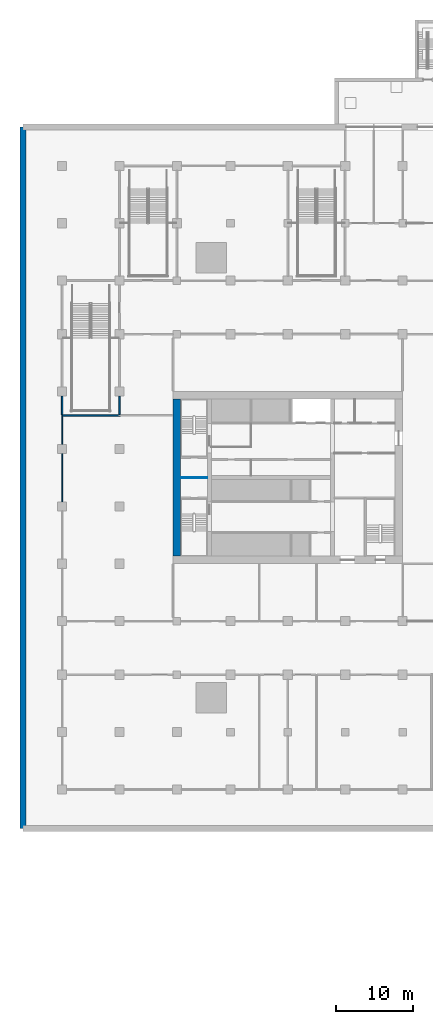
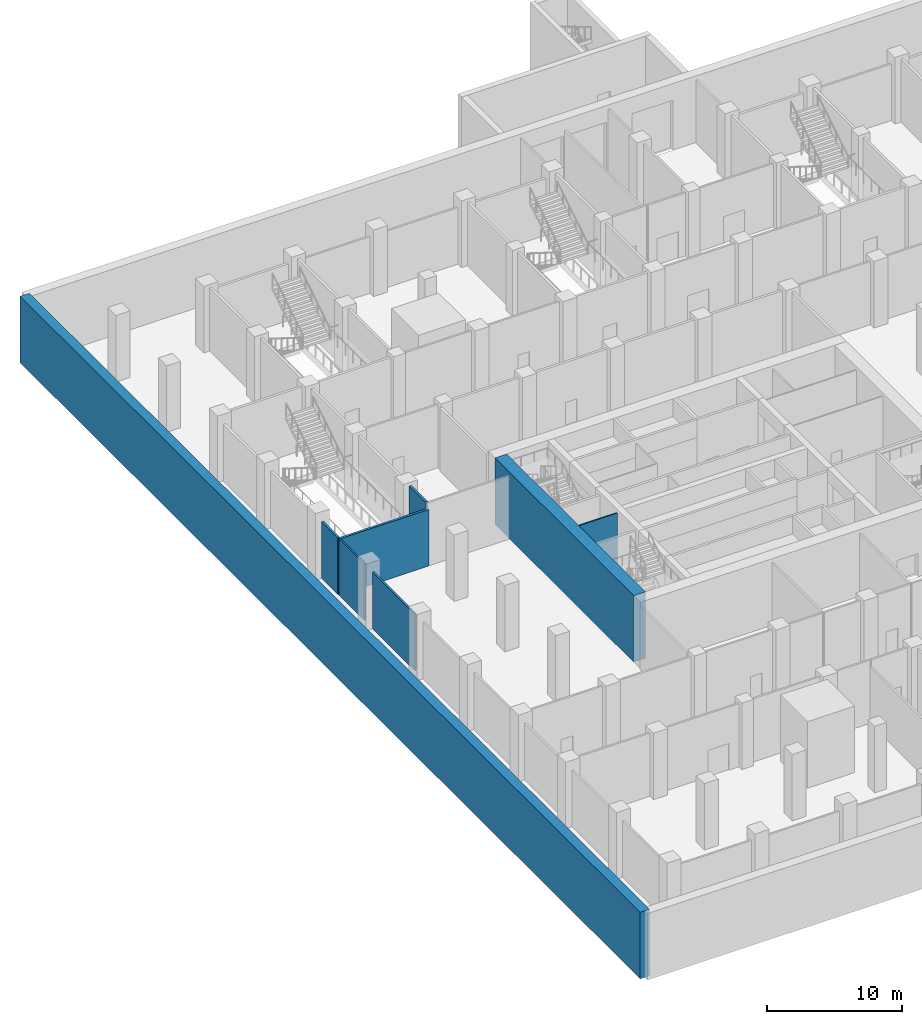
# One storey, part 8 of 45: 8 walls.
"""IFC4 building model written with IfcOpenShell, lengths in metres."""

from ifc_helpers import new_model, si_unit, direction, frame, frame_2d, origin, place, context, subcontext, project, spatial, rectangle, extrude, material, layer, layer_set, type_object, element, save


model = new_model("IFC4")

# Units and contexts
model_context = context("Model", 3, precision=1e-05, world=origin(), true_north=direction((0.0, 1.0)))
body_context = subcontext(model_context, "Body", "Model", "MODEL_VIEW")
ifc_project = project(units=[si_unit("LENGTHUNIT", "METRE"), si_unit("AREAUNIT", "SQUARE_METRE"), si_unit("VOLUMEUNIT", "CUBIC_METRE"), si_unit("PLANEANGLEUNIT", "RADIAN"), si_unit("MASSUNIT", "GRAM", prefix="KILO")], contexts=[model_context])

# Site, building, storey
site_placement = place(None, origin())
site = spatial("IfcSite", under=ifc_project, at=site_placement, CompositionType="ELEMENT")
building_placement = place(site_placement, origin())
building = spatial("IfcBuilding", under=site, at=building_placement, Name="Tamorin Gate", CompositionType="ELEMENT")
storey_placement = place(building_placement, frame((0.0, 0.0, -6.0)))
storey = spatial("IfcBuildingStorey", under=building, at=storey_placement, Name="B1", CompositionType="ELEMENT", Elevation=-6.0)

# Walls
ifc_material_1 = material(Name="Concrete masonry C20/25", Category="masonry")
ifc_layer_1 = layer(ifc_material_1, 0.14990234375)
ifc_layer_set_1 = layer_set([ifc_layer_1], Name="Partition 150")
wall_type_1 = type_object("IfcWallType", Name="Partition 150", PredefinedType="PARTITIONING", material=ifc_layer_set_1)
wall_1_placement = place(storey_placement, frame((15.5, 68.10009765625, 0.0), z_axis=(0.0, 0.0, 1.0), x_axis=(0.0, 1.0, 0.0)))
element("IfcWall", 1, at=wall_1_placement, inside=storey, type_object=wall_type_1, Name="Partition 150 B1", PredefinedType="PARTITIONING", context=body_context, shape_type="SweptSolid", body=[
    extrude(rectangle(XDim=6.2998046875, YDim=0.14990234375, at=frame_2d((3.14990234375, 0.0))), origin(), (0.0, 0.0, 1.0), 5.10009765625),
])
wall_2_placement = place(storey_placement, frame((15.5, 75.60009765625, 0.0), z_axis=(0.0, 0.0, 1.0), x_axis=(0.0, 1.0, 0.0)))
element("IfcWall", 2, at=wall_2_placement, inside=storey, type_object=wall_type_1, Name="Partition 150 B1", PredefinedType="PARTITIONING", context=body_context, shape_type="SweptSolid", body=[
    extrude(rectangle(XDim=3.699951171875, YDim=0.14990234375, at=frame_2d((1.85009765625, 0.0))), origin(), (0.0, 0.0, 1.0), 5.10009765625),
])
ifc_material_2 = material(Name="Concrete C40/50", Category="concrete")
ifc_layer_2 = layer(ifc_material_2, 0.800048828125)
ifc_layer_set_2 = layer_set([ifc_layer_2], Name="RC basement wall 800 C40/50")
wall_type_2 = type_object("IfcWallType", Name="RC basement wall 800 C40/50", PredefinedType="SHEAR", material=ifc_layer_set_2)
wall_3_placement = place(storey_placement, frame((10.39990234375, 25.39990234375, 0.0), z_axis=(0.0, 0.0, 1.0), x_axis=(0.0, 1.0, 0.0)))
element("IfcWall", 3, at=wall_3_placement, inside=storey, type_object=wall_type_2, Name="Basement wall B1", PredefinedType="SHEAR", context=body_context, shape_type="SweptSolid", body=[
    extrude(rectangle(XDim=91.7001953125, YDim=0.800048828125, at=frame_2d((45.85009765625, 0.0))), origin(), (0.0, 0.0, 1.0), 6.0),
])
ifc_material_3 = material(Name="Concrete C80/95", Category="concrete")
ifc_layer_3 = layer(ifc_material_3, 1.0)
ifc_layer_set_3 = layer_set([ifc_layer_3], Name="RC core wall 1000 C80/95")
wall_type_3 = type_object("IfcWallType", Name="RC core wall 1000 C80/95", PredefinedType="SHEAR", material=ifc_layer_set_3)
wall_4_placement = place(storey_placement, frame((30.5, 61.0, 0.0), z_axis=(0.0, 0.0, 1.0), x_axis=(0.0, 1.0, 0.0)))
element("IfcWall", 4, at=wall_4_placement, inside=storey, type_object=wall_type_3, Name="Core wall B1", PredefinedType="SHEAR", context=body_context, shape_type="SweptSolid", body=[
    extrude(rectangle(XDim=20.5, YDim=1.0, at=frame_2d((10.25, 0.0))), origin(), (0.0, 0.0, 1.0), 6.0),
])
ifc_material_4 = material(Name="Fire-rated gypsum board partition")
ifc_layer_4 = layer(ifc_material_4, 0.10009765625)
ifc_layer_set_4 = layer_set([ifc_layer_4], Name="Riser partition 100 EI 120")
wall_type_4 = type_object("IfcWallType", Name="Riser partition 100 EI 120", PredefinedType="PARTITIONING", material=ifc_layer_set_4)
wall_5_placement = place(storey_placement, frame((31.0, 71.25, 0.0), z_axis=(0.0, 0.0, 1.0), x_axis=(1.0, 0.0, 0.0)))
element("IfcWall", 5, at=wall_5_placement, inside=storey, type_object=wall_type_4, Name="Riser partition", PredefinedType="PARTITIONING", context=body_context, shape_type="SweptSolid", body=[
    extrude(rectangle(XDim=3.5, YDim=0.10009765625, at=frame_2d((1.75, 0.0))), origin(), (0.0, 0.0, 1.0), 5.699951171875),
])
ifc_layer_5 = layer(ifc_material_2, 0.199951171875)
ifc_layer_set_5 = layer_set([ifc_layer_5], Name="Stair enclosure 200")
wall_type_5 = type_object("IfcWallType", Name="Stair enclosure 200", PredefinedType="SHEAR", material=ifc_layer_set_5)
wall_6_placement = place(storey_placement, frame((15.425048828125, 79.39990234375, 0.0), z_axis=(0.0, 0.0, 1.0), x_axis=(1.0, 0.0, 0.0)))
element("IfcWall", 6, at=wall_6_placement, inside=storey, type_object=wall_type_5, Name="Stair enclosure 200 B1", PredefinedType="SHEAR", context=body_context, shape_type="SweptSolid", body=[
    extrude(rectangle(XDim=7.675048828125, YDim=0.199951171875, at=frame_2d((3.83740234375, 0.0))), origin(), (0.0, 0.0, 1.0), 5.10009765625),
])
wall_7_placement = place(storey_placement, frame((15.5, 79.5, 0.0), z_axis=(0.0, 0.0, 1.0), x_axis=(0.0, 1.0, 0.0)))
element("IfcWall", 7, at=wall_7_placement, inside=storey, type_object=wall_type_5, Name="Stair enclosure 200 B1", PredefinedType="SHEAR", context=body_context, shape_type="SweptSolid", body=[
    extrude(rectangle(XDim=2.39990234375, YDim=0.199951171875, at=frame_2d((1.199951171875, 0.0))), origin(), (0.0, 0.0, 1.0), 5.10009765625),
])
wall_8_placement = place(storey_placement, frame((23.0, 79.5, 0.0), z_axis=(0.0, 0.0, 1.0), x_axis=(0.0, 1.0, 0.0)))
element("IfcWall", 8, at=wall_8_placement, inside=storey, type_object=wall_type_5, Name="Stair enclosure 200 B1", PredefinedType="SHEAR", context=body_context, shape_type="SweptSolid", body=[
    extrude(rectangle(XDim=2.39990234375, YDim=0.199951171875, at=frame_2d((1.199951171875, 0.0))), origin(), (0.0, 0.0, 1.0), 5.699951171875),
])

save(model, "model.ifc")
